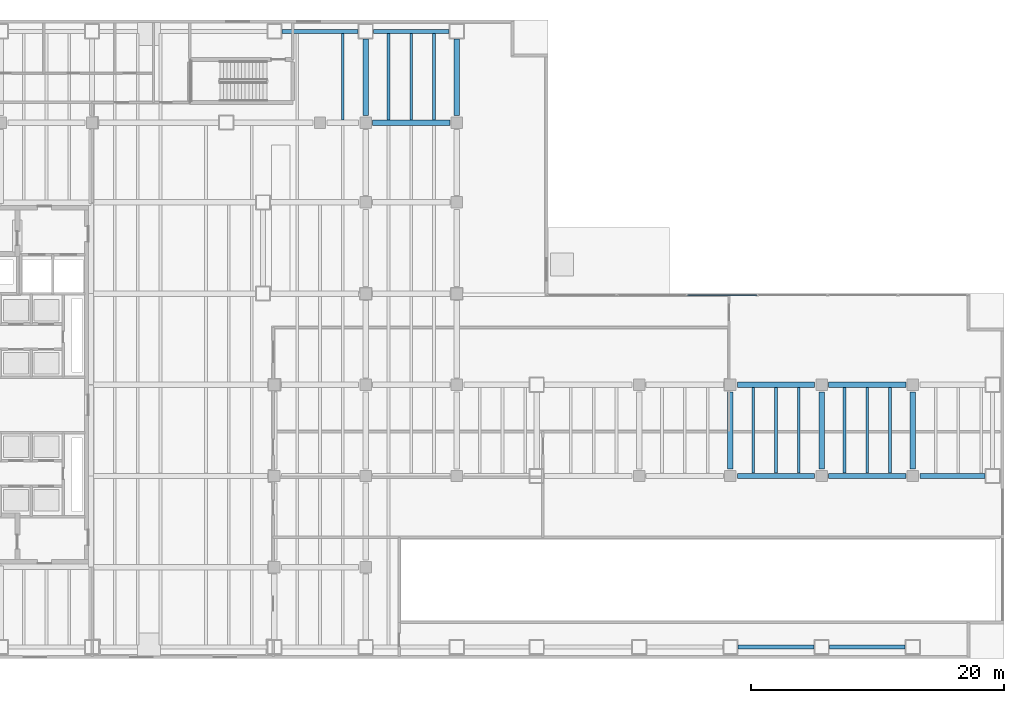
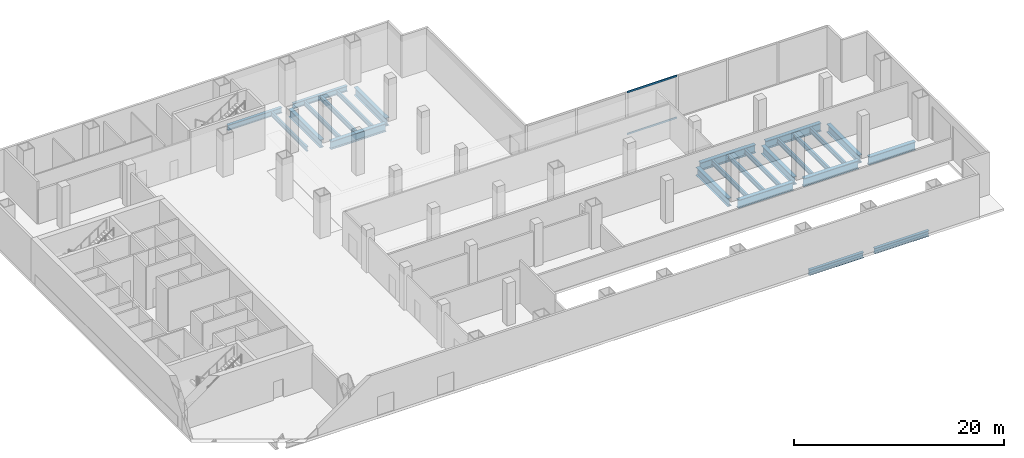
# One storey, part 5 of 17: 25 beams, 2 members, 1 element without a shape of its own.
"""IFC4 building model written with IfcOpenShell, lengths in metres."""

from ifc_helpers import new_model, si_unit, direction, frame, origin, origin_2d, place, context, subcontext, project, spatial, hollow_rectangle, i_section, extrude, material, material_profile, profile_set, type_object, element, aggregate, save


model = new_model("IFC4")

# Units and contexts
model_context = context("Model", 3, precision=1e-05, world=origin(), true_north=direction((0.0, 1.0)))
body_context = subcontext(model_context, "Body", "Model", "MODEL_VIEW")
ifc_project = project(units=[si_unit("LENGTHUNIT", "METRE"), si_unit("AREAUNIT", "SQUARE_METRE"), si_unit("VOLUMEUNIT", "CUBIC_METRE"), si_unit("PLANEANGLEUNIT", "RADIAN"), si_unit("MASSUNIT", "GRAM", prefix="KILO")], contexts=[model_context])

# Site, building, storey
site_placement = place(None, origin())
site = spatial("IfcSite", under=ifc_project, at=site_placement, CompositionType="ELEMENT")
building_placement = place(site_placement, origin())
building = spatial("IfcBuilding", under=site, at=building_placement, Name="Cobrela Telecom Tower", CompositionType="ELEMENT")
storey_placement = place(building_placement, origin())
storey = spatial("IfcBuildingStorey", under=building, at=storey_placement, Name="L00", CompositionType="ELEMENT", Elevation=0.0)

# Beams
ifc_material_1 = material(Name="Steel ASTM A992 Grade 50", Category="steel")
ifc_material_profile_1 = material_profile(ifc_material_1, i_section(OverallWidth=0.424072265625, OverallDepth=0.947021484375, WebThickness=0.02392578125, FlangeThickness=0.042724609375, FilletRadius=0.02392578125, at=origin_2d()), Name="W36X302")
ifc_profile_set_1 = profile_set([ifc_material_profile_1], Name="Steel ASTM A992 Grade 50")
beam_type_1 = type_object("IfcBeamType", Name="BM-GIRD-01", PredefinedType="USERDEFINED", material=ifc_profile_set_1)
for number, where, z_axis, x_axis, name in (
    (1, (65.35498046875, 14.39990234375, -0.7734375), (1.0, 0.0, 0.0), (0.0, 1.0, 0.0), "L00 Primary Girder X20"),
    (2, (72.554931640625, 14.39990234375, -0.7734375), (1.0, 0.0, 0.0), (0.0, 1.0, 0.0), "L00 Primary Girder X21"),
):
    element("IfcBeam", number, at=place(storey_placement, frame(where, z_axis=z_axis, x_axis=x_axis)), inside=storey, type_object=beam_type_1, Name=name, ObjectType="GIRDER", PredefinedType="USERDEFINED", context=body_context, shape_type="SweptSolid", body=[
        extrude(i_section(OverallWidth=0.424072265625, OverallDepth=0.947021484375, WebThickness=0.02392578125, FlangeThickness=0.042724609375, FilletRadius=0.02392578125, at=origin_2d()), origin(), (0.0, 0.0, 1.0), 6.090087890625),
    ])
beam_placement = place(storey_placement, frame((79.7548828125, 14.39990234375, -0.7734375), z_axis=(1.0, 0.0, 0.0), x_axis=(0.0, 1.0, 0.0)))
element("IfcBeam", 3, at=beam_placement, inside=storey, type_object=beam_type_1, Name="L00 Primary Girder X22", ObjectType="GIRDER", PredefinedType="USERDEFINED", context=body_context, shape_type="SweptSolid", body=[
    extrude(i_section(OverallWidth=0.424072265625, OverallDepth=0.947021484375, WebThickness=0.02392578125, FlangeThickness=0.042724609375, FilletRadius=0.02392578125, at=origin_2d()), origin(), (0.0, 0.0, 1.0), 5.14013671875),
])
for number, where, z_axis, x_axis, name in (
    (4, (65.35498046875, 21.60009765625, -0.7734375), (1.0, 0.0, 0.0), (0.0, 1.0, 0.0), "L00 Primary Girder X29"),
    (5, (72.554931640625, 21.60009765625, -0.7734375), (1.0, 0.0, 0.0), (0.0, 1.0, 0.0), "L00 Primary Girder X30"),
    (6, (36.554931640625, 42.300048828125, -0.7734375), (1.0, 0.0, 0.0), (0.0, 1.0, 0.0), "L00 Primary Girder X45"),
):
    element("IfcBeam", number, at=place(storey_placement, frame(where, z_axis=z_axis, x_axis=x_axis)), inside=storey, type_object=beam_type_1, Name=name, ObjectType="GIRDER", PredefinedType="USERDEFINED", context=body_context, shape_type="SweptSolid", body=[
        extrude(i_section(OverallWidth=0.424072265625, OverallDepth=0.947021484375, WebThickness=0.02392578125, FlangeThickness=0.042724609375, FilletRadius=0.02392578125, at=origin_2d()), origin(), (0.0, 0.0, 1.0), 6.090087890625),
    ])
for number, where, z_axis, x_axis, name in (
    (7, (36.0, 42.85498046875, -0.7734375), (0.0, 1.0, 0.0), (-1.0, 0.0, 0.0), "L00 Primary Girder Y71"),
    (8, (43.199951171875, 42.85498046875, -0.7734375), (0.0, 1.0, 0.0), (-1.0, 0.0, 0.0), "L00 Primary Girder Y76"),
):
    element("IfcBeam", number, at=place(storey_placement, frame(where, z_axis=z_axis, x_axis=x_axis)), inside=storey, type_object=beam_type_1, Name=name, ObjectType="GIRDER", PredefinedType="USERDEFINED", context=body_context, shape_type="SweptSolid", body=[
        extrude(i_section(OverallWidth=0.424072265625, OverallDepth=0.947021484375, WebThickness=0.02392578125, FlangeThickness=0.042724609375, FilletRadius=0.02392578125, at=origin_2d()), origin(), (0.0, 0.0, 1.0), 6.0400390625),
    ])
for number, where, z_axis, x_axis, name in (
    (9, (64.800048828125, 14.955078125, -0.7734375), (0.0, 1.0, 0.0), (-1.0, 0.0, 0.0), "L00 Primary Girder Y79"),
    (10, (72.0, 14.955078125, -0.7734375), (0.0, 1.0, 0.0), (-1.0, 0.0, 0.0), "L00 Primary Girder Y80"),
    (11, (79.199951171875, 14.955078125, -0.7734375), (0.0, 1.0, 0.0), (-1.0, 0.0, 0.0), "L00 Primary Girder Y81"),
):
    element("IfcBeam", number, at=place(storey_placement, frame(where, z_axis=z_axis, x_axis=x_axis)), inside=storey, type_object=beam_type_1, Name=name, ObjectType="GIRDER", PredefinedType="USERDEFINED", context=body_context, shape_type="SweptSolid", body=[
        extrude(i_section(OverallWidth=0.424072265625, OverallDepth=0.947021484375, WebThickness=0.02392578125, FlangeThickness=0.042724609375, FilletRadius=0.02392578125, at=origin_2d()), origin(), (0.0, 0.0, 1.0), 6.08984375),
    ])
ifc_material_profile_2 = material_profile(ifc_material_1, i_section(OverallWidth=0.212890625, OverallDepth=0.549072265625, WebThickness=0.0146484375, FlangeThickness=0.023681640625, FilletRadius=0.013916015625, at=origin_2d()), Name="W21X93")
ifc_profile_set_2 = profile_set([ifc_material_profile_2], Name="Steel ASTM A992 Grade 50")
beam_type_2 = type_object("IfcBeamType", Name="BM-JOIST-01", PredefinedType="JOIST", material=ifc_profile_set_2)
for number, where, z_axis, x_axis, name in (
    (12, (34.199951171875, 42.51708984375, -0.574462890625), (0.0, 1.0, 0.0), (-1.0, 0.0, 0.0), "L00 Secondary Composite Floor Beam J69"),
    (13, (37.800048828125, 42.51708984375, -0.574462890625), (0.0, 1.0, 0.0), (-1.0, 0.0, 0.0), "L00 Secondary Composite Floor Beam J75"),
    (14, (39.60009765625, 42.51708984375, -0.574462890625), (0.0, 1.0, 0.0), (-1.0, 0.0, 0.0), "L00 Secondary Composite Floor Beam J80"),
    (15, (41.39990234375, 42.51708984375, -0.574462890625), (0.0, 1.0, 0.0), (-1.0, 0.0, 0.0), "L00 Secondary Composite Floor Beam J85"),
):
    element("IfcBeam", number, at=place(storey_placement, frame(where, z_axis=z_axis, x_axis=x_axis)), inside=storey, type_object=beam_type_2, Name=name, PredefinedType="JOIST", context=body_context, shape_type="SweptSolid", body=[
        extrude(i_section(OverallWidth=0.212890625, OverallDepth=0.549072265625, WebThickness=0.0146484375, FlangeThickness=0.023681640625, FilletRadius=0.013916015625, at=origin_2d()), origin(), (0.0, 0.0, 1.0), 6.81396484375),
    ])
for number, where, z_axis, x_axis, name in (
    (16, (66.60009765625, 14.616943359375, -0.574462890625), (0.0, 1.0, 0.0), (-1.0, 0.0, 0.0), "L00 Secondary Composite Floor Beam J95"),
    (17, (68.39990234375, 14.616943359375, -0.574462890625), (0.0, 1.0, 0.0), (-1.0, 0.0, 0.0), "L00 Secondary Composite Floor Beam J96"),
    (18, (70.199951171875, 14.616943359375, -0.574462890625), (0.0, 1.0, 0.0), (-1.0, 0.0, 0.0), "L00 Secondary Composite Floor Beam J97"),
    (19, (73.800048828125, 14.616943359375, -0.574462890625), (0.0, 1.0, 0.0), (-1.0, 0.0, 0.0), "L00 Secondary Composite Floor Beam J98"),
    (20, (75.60009765625, 14.616943359375, -0.574462890625), (0.0, 1.0, 0.0), (-1.0, 0.0, 0.0), "L00 Secondary Composite Floor Beam J99"),
    (21, (77.39990234375, 14.616943359375, -0.574462890625), (0.0, 1.0, 0.0), (-1.0, 0.0, 0.0), "L00 Secondary Composite Floor Beam J100"),
):
    element("IfcBeam", number, at=place(storey_placement, frame(where, z_axis=z_axis, x_axis=x_axis)), inside=storey, type_object=beam_type_2, Name=name, PredefinedType="JOIST", context=body_context, shape_type="SweptSolid", body=[
        extrude(i_section(OverallWidth=0.212890625, OverallDepth=0.549072265625, WebThickness=0.0146484375, FlangeThickness=0.023681640625, FilletRadius=0.013916015625, at=origin_2d()), origin(), (0.0, 0.0, 1.0), 6.76611328125),
    ])
ifc_material_profile_3 = material_profile(ifc_material_1, i_section(OverallWidth=0.327880859375, OverallDepth=0.6220703125, WebThickness=0.015380859375, FlangeThickness=0.0244140625, FilletRadius=0.014892578125, at=origin_2d()), Name="W24X131")
ifc_profile_set_3 = profile_set([ifc_material_profile_3], Name="Steel ASTM A992 Grade 50")
beam_type_3 = type_object("IfcBeamType", Name="BM-SPAND-01", PredefinedType="SPANDREL", material=ifc_profile_set_3)
for number, where, z_axis, x_axis, name in (
    (22, (65.405029296875, 0.89990234375, -0.611083984375), (1.0, 0.0, 0.0), (0.0, 1.0, 0.0), "L00 Perimeter Spandrel X08"),
    (23, (72.60498046875, 0.89990234375, -0.611083984375), (1.0, 0.0, 0.0), (0.0, 1.0, 0.0), "L00 Perimeter Spandrel X09"),
    (24, (29.405029296875, 49.5, -0.611083984375), (1.0, 0.0, 0.0), (0.0, 1.0, 0.0), "L00 Perimeter Spandrel X48"),
    (25, (36.60498046875, 49.5, -0.611083984375), (1.0, 0.0, 0.0), (0.0, 1.0, 0.0), "L00 Perimeter Spandrel X49"),
):
    element("IfcBeam", number, at=place(storey_placement, frame(where, z_axis=z_axis, x_axis=x_axis)), inside=storey, type_object=beam_type_3, Name=name, PredefinedType="SPANDREL", context=body_context, shape_type="SweptSolid", body=[
        extrude(i_section(OverallWidth=0.327880859375, OverallDepth=0.6220703125, WebThickness=0.015380859375, FlangeThickness=0.0244140625, FilletRadius=0.014892578125, at=origin_2d()), origin(), (0.0, 0.0, 1.0), 5.989990234375),
    ])

# Curtain wall, members
ifc_material_2 = material(Name="Anodized Bronze Aluminium 6063-T6", Category="aluminium")
curtain_wall_type = type_object("IfcCurtainWallType", Name="CW-SYS-CONC", PredefinedType="USERDEFINED", material=ifc_material_2)
curtain_wall_placement = place(storey_placement, origin())
curtain_wall = element("IfcCurtainWall", 26, at=curtain_wall_placement, inside=storey, type_object=curtain_wall_type, Name="L00 Concourse Curtain Wall 11", ObjectType="UNITISED CURTAIN WALL", PredefinedType="USERDEFINED")
ifc_material_profile_4 = material_profile(ifc_material_2, hollow_rectangle(XDim=0.080078125, YDim=0.199951171875, WallThickness=0.00390625, at=origin_2d()), Name="ALU 80x200x4")
ifc_profile_set_4 = profile_set([ifc_material_profile_4], Name="Anodized Bronze Aluminium 6063-T6")
member_type = type_object("IfcMemberType", Name="CW-SYS-CONC-TRN", PredefinedType="USERDEFINED", material=ifc_profile_set_4)
member_1_placement = place(storey_placement, frame((61.419921875, 28.679931640625, 0.0400390625), z_axis=(1.0, 0.0, 0.0), x_axis=(0.0, 1.0, 0.0)))
member_1 = element("IfcMember", 27, at=member_1_placement, type_object=member_type, Name="CW-CONC transom 3.1", ObjectType="TRANSOM", PredefinedType="USERDEFINED", context=body_context, shape_type="SweptSolid", body=[
    extrude(hollow_rectangle(XDim=0.080078125, YDim=0.199951171875, WallThickness=0.00390625, at=origin_2d()), origin(), (0.0, 0.0, 1.0), 5.469970703125),
])
member_2_placement = place(storey_placement, frame((61.419921875, 28.679931640625, 4.909912109375), z_axis=(1.0, 0.0, 0.0), x_axis=(0.0, 1.0, 0.0)))
member_2 = element("IfcMember", 28, at=member_2_placement, type_object=member_type, Name="CW-CONC transom 3.2", ObjectType="TRANSOM", PredefinedType="USERDEFINED", context=body_context, shape_type="SweptSolid", body=[
    extrude(hollow_rectangle(XDim=0.080078125, YDim=0.199951171875, WallThickness=0.00390625, at=origin_2d()), origin(), (0.0, 0.0, 1.0), 5.469970703125),
])
aggregate(curtain_wall, [member_1, member_2])

save(model, "model.ifc")
